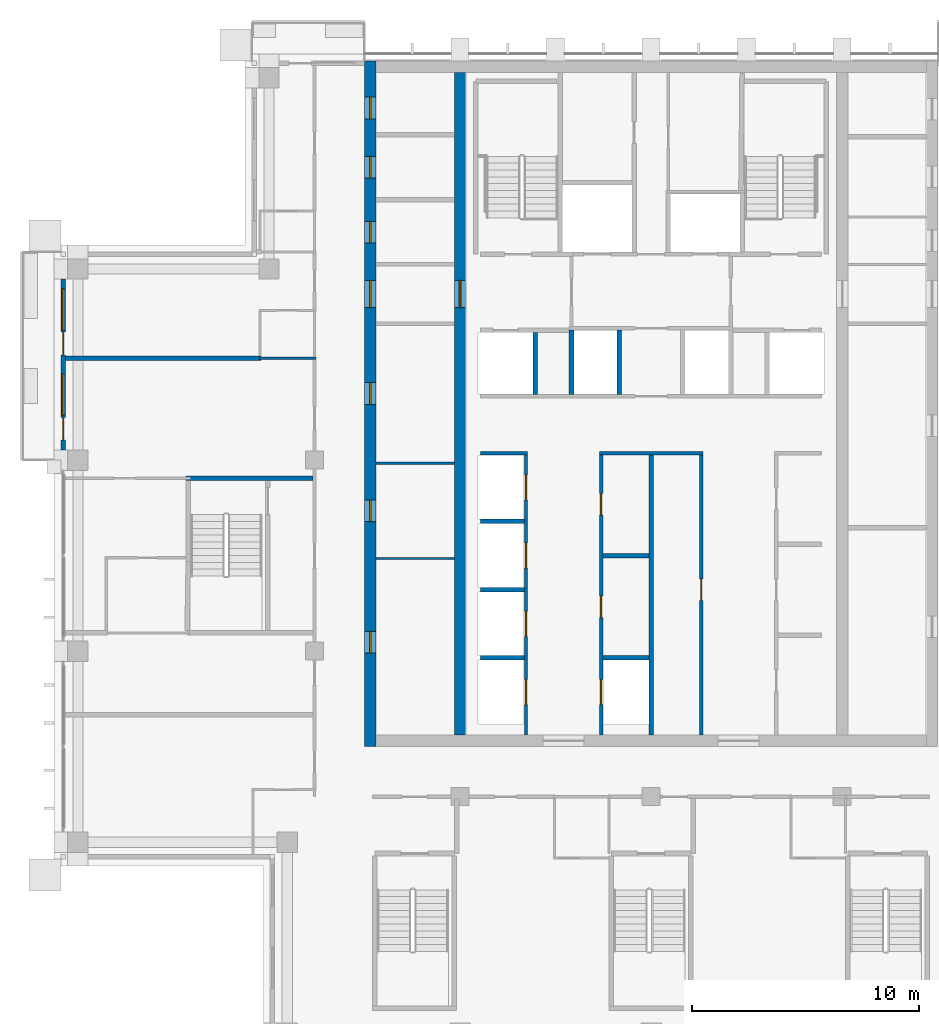
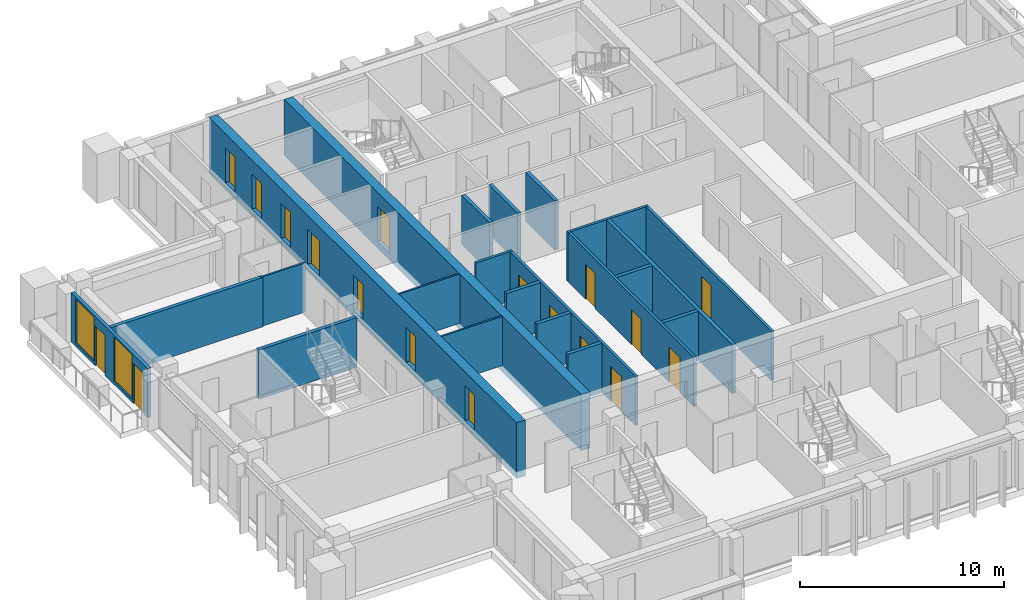
# One storey, part 9 of 18: 22 walls, 18 doors, 2 windows, 20 openings.
"""IFC4 building model written with IfcOpenShell, lengths in metres."""

from ifc_helpers import new_model, si_unit, direction, frame, frame_2d, origin, place, context, subcontext, project, spatial, rectangle, extrude, material, layer, layer_set, type_object, element, fill, save


model = new_model("IFC4")

# Units and contexts
model_context = context("Model", 3, precision=1e-05, world=origin(), true_north=direction((0.0, 1.0)))
body_context = subcontext(model_context, "Body", "Model", "MODEL_VIEW")
ifc_project = project(units=[si_unit("LENGTHUNIT", "METRE"), si_unit("AREAUNIT", "SQUARE_METRE"), si_unit("VOLUMEUNIT", "CUBIC_METRE"), si_unit("PLANEANGLEUNIT", "RADIAN"), si_unit("MASSUNIT", "GRAM", prefix="KILO")], contexts=[model_context])

# Site, building, storey
site_placement = place(None, origin())
site = spatial("IfcSite", under=ifc_project, at=site_placement, CompositionType="ELEMENT")
building_placement = place(site_placement, origin())
building = spatial("IfcBuilding", under=site, at=building_placement, Name="Vermilion Ogive Tower", CompositionType="ELEMENT")
storey_placement = place(building_placement, frame((0.0, 0.0, 261.39990234375)))
storey = spatial("IfcBuildingStorey", under=building, at=storey_placement, Name="L69", CompositionType="ELEMENT", Elevation=261.39990234375)

# Wall, openings, doors
ifc_material_1 = material(Name="Concrete B60", Category="concrete")
ifc_layer_1 = layer(ifc_material_1, 0.5)
ifc_layer_set_1 = layer_set([ifc_layer_1], Name="Core wall 500 B60")
wall_type_1 = type_object("IfcWallType", Name="Core wall 500 B60", PredefinedType="SHEAR", material=ifc_layer_set_1)
wall_1_placement = place(storey_placement, frame((-12.35009765625, -8.39990234375, -0.39990234375), z_axis=(0.0, 0.0, 1.0), x_axis=(0.0, 1.0, 0.0)))
wall_1 = element("IfcWall", 1, at=wall_1_placement, inside=storey, type_object=wall_type_1, Name="L69-CORE-W", PredefinedType="SHEAR", context=body_context, shape_type="SweptSolid", body=[
    extrude(rectangle(XDim=30.14990234375, YDim=0.5, at=frame_2d((15.074951171875, 0.0))), origin(), (0.0, 0.0, 1.0), 3.35009765625),
])
opening_1_placement = place(wall_1_placement, frame((4.112548828125, 0.0, 0.39990234375)))
opening_1 = element("IfcOpeningElement", 2, at=opening_1_placement, cuts=wall_1, Name="Opening DAD127", PredefinedType="OPENING", context=body_context, shape_type="SweptSolid", body=[
    extrude(rectangle(XDim=0.949951171875, YDim=2.10009765625, at=frame_2d((0.47509765625, 1.050048828125))), frame((0.0, 0.260009765625, 0.0), z_axis=(0.0, -1.0, 0.0), x_axis=(1.0, 0.0, 0.0)), (0.0, 0.0, 1.0), 0.52001953125),
])
opening_2_placement = place(wall_1_placement, frame((9.8896484375, 0.0, 0.39990234375)))
opening_2 = element("IfcOpeningElement", 3, at=opening_2_placement, cuts=wall_1, Name="Opening DAD128", PredefinedType="OPENING", context=body_context, shape_type="SweptSolid", body=[
    extrude(rectangle(XDim=0.949951171875, YDim=2.10009765625, at=frame_2d((0.47509765625, 1.050048828125))), frame((0.0, 0.260009765625, 0.0), z_axis=(0.0, -1.0, 0.0), x_axis=(1.0, 0.0, 0.0)), (0.0, 0.0, 1.0), 0.52001953125),
])
opening_3_placement = place(wall_1_placement, frame((15.052001953125, 0.0, 0.39990234375)))
opening_3 = element("IfcOpeningElement", 4, at=opening_3_placement, cuts=wall_1, Name="Opening DAD129", PredefinedType="OPENING", context=body_context, shape_type="SweptSolid", body=[
    extrude(rectangle(XDim=0.949951171875, YDim=2.10009765625, at=frame_2d((0.47509765625, 1.050048828125))), frame((0.0, 0.260009765625, 0.0), z_axis=(0.0, -1.0, 0.0), x_axis=(1.0, 0.0, 0.0)), (0.0, 0.0, 1.0), 0.52001953125),
])
opening_4_placement = place(wall_1_placement, frame((22.1435546875, 0.0, 0.39990234375)))
opening_4 = element("IfcOpeningElement", 5, at=opening_4_placement, cuts=wall_1, Name="Opening DAD130", PredefinedType="OPENING", context=body_context, shape_type="SweptSolid", body=[
    extrude(rectangle(XDim=0.949951171875, YDim=2.10009765625, at=frame_2d((0.47509765625, 1.050048828125))), frame((0.0, 0.260009765625, 0.0), z_axis=(0.0, -1.0, 0.0), x_axis=(1.0, 0.0, 0.0)), (0.0, 0.0, 1.0), 0.52001953125),
])
opening_5_placement = place(wall_1_placement, frame((24.998291015625, 0.0, 0.39990234375)))
opening_5 = element("IfcOpeningElement", 6, at=opening_5_placement, cuts=wall_1, Name="Opening DAD131", PredefinedType="OPENING", context=body_context, shape_type="SweptSolid", body=[
    extrude(rectangle(XDim=0.949951171875, YDim=2.10009765625, at=frame_2d((0.47509765625, 1.050048828125))), frame((0.0, 0.260009765625, 0.0), z_axis=(0.0, -1.0, 0.0), x_axis=(1.0, 0.0, 0.0)), (0.0, 0.0, 1.0), 0.52001953125),
])
opening_6_placement = place(wall_1_placement, frame((27.604736328125, 0.0, 0.39990234375)))
opening_6 = element("IfcOpeningElement", 7, at=opening_6_placement, cuts=wall_1, Name="Opening DAD132", PredefinedType="OPENING", context=body_context, shape_type="SweptSolid", body=[
    extrude(rectangle(XDim=0.949951171875, YDim=2.10009765625, at=frame_2d((0.47509765625, 1.050048828125))), frame((0.0, 0.260009765625, 0.0), z_axis=(0.0, -1.0, 0.0), x_axis=(1.0, 0.0, 0.0)), (0.0, 0.0, 1.0), 0.52001953125),
])
opening_7_placement = place(wall_1_placement, frame((19.300048828125, 0.0, 0.39990234375)))
opening_7 = element("IfcOpeningElement", 8, at=opening_7_placement, cuts=wall_1, Name="Opening DAM029", PredefinedType="OPENING", context=body_context, shape_type="SweptSolid", body=[
    extrude(rectangle(XDim=1.199951171875, YDim=2.10009765625, at=frame_2d((0.60009765625, 1.050048828125))), frame((0.0, 0.260009765625, 0.0), z_axis=(0.0, -1.0, 0.0), x_axis=(1.0, 0.0, 0.0)), (0.0, 0.0, 1.0), 0.52001953125),
])
ifc_material_2 = material(Name="Timber door leaf", Category="wood")
door_type_1 = type_object("IfcDoorType", Name="Link door 1200 x 2100 FD60S", OperationType="SINGLE_SWING_LEFT", PredefinedType="DOOR", material=ifc_material_2)
door_1_placement = place(opening_7_placement, origin())
door_1 = element("IfcDoor", 9, at=door_1_placement, inside=storey, type_object=door_type_1, Name="L69-CKW-XL", OperationType="SINGLE_SWING_LEFT", OverallHeight=2.10009765625, OverallWidth=1.199951171875, PredefinedType="DOOR", context=body_context, shape_type="SweptSolid", body=[
    extrude(rectangle(XDim=1.199951171875, YDim=2.10009765625, at=frame_2d((0.60009765625, 1.050048828125))), frame((0.0, 0.02490234375, 0.0), z_axis=(0.0, -1.0, 0.0), x_axis=(1.0, 0.0, 0.0)), (0.0, 0.0, 1.0), 0.050048828125),
])
fill(opening_7, door_1)
ifc_material_3 = material(Name="Timber door leaf", Category="wood")
door_type_2 = type_object("IfcDoorType", Name="Service door 950 x 2100 FD60", OperationType="SINGLE_SWING_LEFT", PredefinedType="DOOR", material=ifc_material_3)
door_2_placement = place(opening_1_placement, origin())
door_2 = element("IfcDoor", 10, at=door_2_placement, inside=storey, type_object=door_type_2, Name="L69-CKW-XR0", OperationType="SINGLE_SWING_LEFT", OverallHeight=2.10009765625, OverallWidth=0.949951171875, PredefinedType="DOOR", context=body_context, shape_type="SweptSolid", body=[
    extrude(rectangle(XDim=0.949951171875, YDim=2.10009765625, at=frame_2d((0.47509765625, 1.050048828125))), frame((0.0, 0.02490234375, 0.0), z_axis=(0.0, -1.0, 0.0), x_axis=(1.0, 0.0, 0.0)), (0.0, 0.0, 1.0), 0.050048828125),
])
fill(opening_1, door_2)
door_3_placement = place(opening_2_placement, origin())
door_3 = element("IfcDoor", 11, at=door_3_placement, inside=storey, type_object=door_type_2, Name="L69-CKW-XR1", OperationType="SINGLE_SWING_LEFT", OverallHeight=2.10009765625, OverallWidth=0.949951171875, PredefinedType="DOOR", context=body_context, shape_type="SweptSolid", body=[
    extrude(rectangle(XDim=0.949951171875, YDim=2.10009765625, at=frame_2d((0.47509765625, 1.050048828125))), frame((0.0, 0.02490234375, 0.0), z_axis=(0.0, -1.0, 0.0), x_axis=(1.0, 0.0, 0.0)), (0.0, 0.0, 1.0), 0.050048828125),
])
fill(opening_2, door_3)
door_4_placement = place(opening_3_placement, origin())
door_4 = element("IfcDoor", 12, at=door_4_placement, inside=storey, type_object=door_type_2, Name="L69-CKW-XR2", OperationType="SINGLE_SWING_LEFT", OverallHeight=2.10009765625, OverallWidth=0.949951171875, PredefinedType="DOOR", context=body_context, shape_type="SweptSolid", body=[
    extrude(rectangle(XDim=0.949951171875, YDim=2.10009765625, at=frame_2d((0.47509765625, 1.050048828125))), frame((0.0, 0.02490234375, 0.0), z_axis=(0.0, -1.0, 0.0), x_axis=(1.0, 0.0, 0.0)), (0.0, 0.0, 1.0), 0.050048828125),
])
fill(opening_3, door_4)
door_5_placement = place(opening_4_placement, origin())
door_5 = element("IfcDoor", 13, at=door_5_placement, inside=storey, type_object=door_type_2, Name="L69-CKW-XR3", OperationType="SINGLE_SWING_LEFT", OverallHeight=2.10009765625, OverallWidth=0.949951171875, PredefinedType="DOOR", context=body_context, shape_type="SweptSolid", body=[
    extrude(rectangle(XDim=0.949951171875, YDim=2.10009765625, at=frame_2d((0.47509765625, 1.050048828125))), frame((0.0, 0.02490234375, 0.0), z_axis=(0.0, -1.0, 0.0), x_axis=(1.0, 0.0, 0.0)), (0.0, 0.0, 1.0), 0.050048828125),
])
fill(opening_4, door_5)
door_6_placement = place(opening_5_placement, origin())
door_6 = element("IfcDoor", 14, at=door_6_placement, inside=storey, type_object=door_type_2, Name="L69-CKW-XR4", OperationType="SINGLE_SWING_LEFT", OverallHeight=2.10009765625, OverallWidth=0.949951171875, PredefinedType="DOOR", context=body_context, shape_type="SweptSolid", body=[
    extrude(rectangle(XDim=0.949951171875, YDim=2.10009765625, at=frame_2d((0.47509765625, 1.050048828125))), frame((0.0, 0.02490234375, 0.0), z_axis=(0.0, -1.0, 0.0), x_axis=(1.0, 0.0, 0.0)), (0.0, 0.0, 1.0), 0.050048828125),
])
fill(opening_5, door_6)
door_7_placement = place(opening_6_placement, origin())
door_7 = element("IfcDoor", 15, at=door_7_placement, inside=storey, type_object=door_type_2, Name="L69-CKW-XR5", OperationType="SINGLE_SWING_LEFT", OverallHeight=2.10009765625, OverallWidth=0.949951171875, PredefinedType="DOOR", context=body_context, shape_type="SweptSolid", body=[
    extrude(rectangle(XDim=0.949951171875, YDim=2.10009765625, at=frame_2d((0.47509765625, 1.050048828125))), frame((0.0, 0.02490234375, 0.0), z_axis=(0.0, -1.0, 0.0), x_axis=(1.0, 0.0, 0.0)), (0.0, 0.0, 1.0), 0.050048828125),
])
fill(opening_6, door_7)

# Wall, opening, door
wall_2_placement = place(storey_placement, frame((-8.39990234375, -7.89990234375, -0.39990234375), z_axis=(0.0, 0.0, 1.0), x_axis=(0.0, 1.0, 0.0)))
wall_2 = element("IfcWall", 16, at=wall_2_placement, inside=storey, type_object=wall_type_1, Name="L69-CORE-WEB1", PredefinedType="SHEAR", context=body_context, shape_type="SweptSolid", body=[
    extrude(rectangle(XDim=29.14990234375, YDim=0.5, at=frame_2d((14.574951171875, 0.0))), origin(), (0.0, 0.0, 1.0), 3.35009765625),
])
opening_8_placement = place(wall_2_placement, frame((18.800048828125, 0.0, 0.39990234375)))
opening_8 = element("IfcOpeningElement", 17, at=opening_8_placement, cuts=wall_2, Name="Opening DAP024", PredefinedType="OPENING", context=body_context, shape_type="SweptSolid", body=[
    extrude(rectangle(XDim=1.199951171875, YDim=2.10009765625, at=frame_2d((0.60009765625, 1.050048828125))), frame((0.0, 0.260009765625, 0.0), z_axis=(0.0, -1.0, 0.0), x_axis=(1.0, 0.0, 0.0)), (0.0, 0.0, 1.0), 0.52001953125),
])
door_8_placement = place(opening_8_placement, origin())
door_8 = element("IfcDoor", 18, at=door_8_placement, inside=storey, type_object=door_type_1, Name="L69-CKW-XW", OperationType="SINGLE_SWING_LEFT", OverallHeight=2.10009765625, OverallWidth=1.199951171875, PredefinedType="DOOR", context=body_context, shape_type="SweptSolid", body=[
    extrude(rectangle(XDim=1.199951171875, YDim=2.10009765625, at=frame_2d((0.60009765625, 1.050048828125))), frame((0.0, 0.02490234375, 0.0), z_axis=(0.0, -1.0, 0.0), x_axis=(1.0, 0.0, 0.0)), (0.0, 0.0, 1.0), 0.050048828125),
])
fill(opening_8, door_8)

# Walls
ifc_material_4 = material(Name="Gypsum board partition on steel studs", Category="steel")
ifc_layer_2 = layer(ifc_material_4, 0.10009765625)
ifc_layer_set_2 = layer_set([ifc_layer_2], Name="Partition 100 bath")
wall_type_2 = type_object("IfcWallType", Name="Partition 100 bath", PredefinedType="PARTITIONING", material=ifc_layer_set_2)
wall_3_placement = place(storey_placement, frame((-17.25, 8.679931640625, 0.0), z_axis=(0.0, 0.0, 1.0), x_axis=(1.0, 0.0, 0.0)))
element("IfcWall", 19, at=wall_3_placement, inside=storey, type_object=wall_type_2, Name="L69-W-W030", PredefinedType="PARTITIONING", context=body_context, shape_type="SweptSolid", body=[
    extrude(rectangle(XDim=2.52490234375, YDim=0.10009765625, at=frame_2d((1.262451171875, 0.0))), origin(), (0.0, 0.0, 1.0), 2.9501953125),
])
for number, where, z_axis, x_axis, name in (
    (20, (-12.09912109375, -0.125, 0.0), (0.0, 0.0, 1.0), (1.0, 0.0, 0.0), "L69-CKW-W-W001"),
    (21, (-12.09912109375, 4.053955078125, 0.0), (0.0, 0.0, 1.0), (1.0, 0.0, 0.0), "L69-CKW-W-W002"),
):
    element("IfcWall", number, at=place(storey_placement, frame(where, z_axis=z_axis, x_axis=x_axis)), inside=storey, type_object=wall_type_2, Name=name, PredefinedType="PARTITIONING", context=body_context, shape_type="SweptSolid", body=[
        extrude(rectangle(XDim=3.4482421875, YDim=0.10009765625, at=frame_2d((1.72412109375, 0.0))), origin(), (0.0, 0.0, 1.0), 2.9501953125),
    ])
ifc_material_5 = material(Name="Gypsum board partition on steel studs", Category="steel")
ifc_layer_3 = layer(ifc_material_5, 0.14990234375)
ifc_layer_set_3 = layer_set([ifc_layer_3], Name="Partition 150 corridor")
wall_type_3 = type_object("IfcWallType", Name="Partition 150 corridor", PredefinedType="PARTITIONING", material=ifc_layer_set_3)
wall_4_placement = place(storey_placement, frame((-7.5, 4.5, 0.0), z_axis=(0.0, 0.0, 1.0), x_axis=(1.0, 0.0, 0.0)))
element("IfcWall", 22, at=wall_4_placement, inside=storey, type_object=wall_type_3, Name="L69-CK-W-W008", PredefinedType="PARTITIONING", context=body_context, shape_type="SweptSolid", body=[
    extrude(rectangle(XDim=2.074951171875, YDim=0.14990234375, at=frame_2d((1.03759765625, 0.0))), origin(), (0.0, 0.0, 1.0), 2.9501953125),
])
wall_5_placement = place(storey_placement, frame((-2.27490234375, 4.5, 0.0), z_axis=(0.0, 0.0, 1.0), x_axis=(1.0, 0.0, 0.0)))
element("IfcWall", 23, at=wall_5_placement, inside=storey, type_object=wall_type_3, Name="L69-CK-W-W009", PredefinedType="PARTITIONING", context=body_context, shape_type="SweptSolid", body=[
    extrude(rectangle(XDim=4.5498046875, YDim=0.14990234375, at=frame_2d((2.27490234375, 0.0))), origin(), (0.0, 0.0, 1.0), 2.9501953125),
])

# Wall, openings, doors
wall_6_placement = place(storey_placement, frame((-5.5, -7.89892578125, 0.0), z_axis=(0.0, 0.0, 1.0), x_axis=(0.0, 1.0, 0.0)))
wall_6 = element("IfcWall", 24, at=wall_6_placement, inside=storey, type_object=wall_type_3, Name="L69-CK-W-W020", PredefinedType="PARTITIONING", context=body_context, shape_type="SweptSolid", body=[
    extrude(rectangle(XDim=12.323974609375, YDim=0.14990234375, at=frame_2d((6.162109375, 0.0))), origin(), (0.0, 0.0, 1.0), 2.9501953125),
])
opening_9_placement = place(wall_6_placement, frame((1.348876953125, 0.0, 0.0)))
opening_9 = element("IfcOpeningElement", 25, at=opening_9_placement, cuts=wall_6, Name="Opening DAA671", PredefinedType="OPENING", context=body_context, shape_type="SweptSolid", body=[
    extrude(rectangle(XDim=1.10009765625, YDim=2.10009765625, at=frame_2d((0.550048828125, 1.050048828125))), frame((0.0, 0.0849609375, 0.0), z_axis=(0.0, -1.0, 0.0), x_axis=(1.0, 0.0, 0.0)), (0.0, 0.0, 1.0), 0.169921875),
])
opening_10_placement = place(wall_6_placement, frame((4.348876953125, 0.0, 0.0)))
opening_10 = element("IfcOpeningElement", 26, at=opening_10_placement, cuts=wall_6, Name="Opening DAA672", PredefinedType="OPENING", context=body_context, shape_type="SweptSolid", body=[
    extrude(rectangle(XDim=1.10009765625, YDim=2.10009765625, at=frame_2d((0.550048828125, 1.050048828125))), frame((0.0, 0.0849609375, 0.0), z_axis=(0.0, -1.0, 0.0), x_axis=(1.0, 0.0, 0.0)), (0.0, 0.0, 1.0), 0.169921875),
])
opening_11_placement = place(wall_6_placement, frame((7.348876953125, 0.0, 0.0)))
opening_11 = element("IfcOpeningElement", 27, at=opening_11_placement, cuts=wall_6, Name="Opening DAA673", PredefinedType="OPENING", context=body_context, shape_type="SweptSolid", body=[
    extrude(rectangle(XDim=1.10009765625, YDim=2.10009765625, at=frame_2d((0.550048828125, 1.050048828125))), frame((0.0, 0.0849609375, 0.0), z_axis=(0.0, -1.0, 0.0), x_axis=(1.0, 0.0, 0.0)), (0.0, 0.0, 1.0), 0.169921875),
])
opening_12_placement = place(wall_6_placement, frame((10.348876953125, 0.0, 0.0)))
opening_12 = element("IfcOpeningElement", 28, at=opening_12_placement, cuts=wall_6, Name="Opening DAA674", PredefinedType="OPENING", context=body_context, shape_type="SweptSolid", body=[
    extrude(rectangle(XDim=1.10009765625, YDim=2.10009765625, at=frame_2d((0.550048828125, 1.050048828125))), frame((0.0, 0.0849609375, 0.0), z_axis=(0.0, -1.0, 0.0), x_axis=(1.0, 0.0, 0.0)), (0.0, 0.0, 1.0), 0.169921875),
])
ifc_material_6 = material(Name="Stainless steel", Category="steel")
door_type_3 = type_object("IfcDoorType", Name="Lift landing door 1100 x 2100", OperationType="SLIDING_TO_LEFT", PredefinedType="DOOR", material=ifc_material_6)
door_9_placement = place(opening_9_placement, origin())
door_9 = element("IfcDoor", 29, at=door_9_placement, inside=storey, type_object=door_type_3, Name="L69-CK-D-D001", OperationType="SLIDING_TO_LEFT", OverallHeight=2.10009765625, OverallWidth=1.10009765625, PredefinedType="DOOR", context=body_context, shape_type="SweptSolid", body=[
    extrude(rectangle(XDim=1.10009765625, YDim=2.10009765625, at=frame_2d((0.550048828125, 1.050048828125))), frame((0.0, 0.02490234375, 0.0), z_axis=(0.0, -1.0, 0.0), x_axis=(1.0, 0.0, 0.0)), (0.0, 0.0, 1.0), 0.050048828125),
])
fill(opening_9, door_9)
door_10_placement = place(opening_10_placement, origin())
door_10 = element("IfcDoor", 30, at=door_10_placement, inside=storey, type_object=door_type_3, Name="L69-CK-D-D002", OperationType="SLIDING_TO_LEFT", OverallHeight=2.10009765625, OverallWidth=1.10009765625, PredefinedType="DOOR", context=body_context, shape_type="SweptSolid", body=[
    extrude(rectangle(XDim=1.10009765625, YDim=2.10009765625, at=frame_2d((0.550048828125, 1.050048828125))), frame((0.0, 0.02490234375, 0.0), z_axis=(0.0, -1.0, 0.0), x_axis=(1.0, 0.0, 0.0)), (0.0, 0.0, 1.0), 0.050048828125),
])
fill(opening_10, door_10)
door_11_placement = place(opening_11_placement, origin())
door_11 = element("IfcDoor", 31, at=door_11_placement, inside=storey, type_object=door_type_3, Name="L69-CK-D-D003", OperationType="SLIDING_TO_LEFT", OverallHeight=2.10009765625, OverallWidth=1.10009765625, PredefinedType="DOOR", context=body_context, shape_type="SweptSolid", body=[
    extrude(rectangle(XDim=1.10009765625, YDim=2.10009765625, at=frame_2d((0.550048828125, 1.050048828125))), frame((0.0, 0.02490234375, 0.0), z_axis=(0.0, -1.0, 0.0), x_axis=(1.0, 0.0, 0.0)), (0.0, 0.0, 1.0), 0.050048828125),
])
fill(opening_11, door_11)
door_12_placement = place(opening_12_placement, origin())
door_12 = element("IfcDoor", 32, at=door_12_placement, inside=storey, type_object=door_type_3, Name="L69-CK-D-D004", OperationType="SLIDING_TO_LEFT", OverallHeight=2.10009765625, OverallWidth=1.10009765625, PredefinedType="DOOR", context=body_context, shape_type="SweptSolid", body=[
    extrude(rectangle(XDim=1.10009765625, YDim=2.10009765625, at=frame_2d((0.550048828125, 1.050048828125))), frame((0.0, 0.02490234375, 0.0), z_axis=(0.0, -1.0, 0.0), x_axis=(1.0, 0.0, 0.0)), (0.0, 0.0, 1.0), 0.050048828125),
])
fill(opening_12, door_12)

wall_7_placement = place(storey_placement, frame((-2.199951171875, -7.89892578125, 0.0), z_axis=(0.0, 0.0, 1.0), x_axis=(0.0, 1.0, 0.0)))
wall_7 = element("IfcWall", 33, at=wall_7_placement, inside=storey, type_object=wall_type_3, Name="L69-CK-W-W025", PredefinedType="PARTITIONING", context=body_context, shape_type="SweptSolid", body=[
    extrude(rectangle(XDim=12.323974609375, YDim=0.14990234375, at=frame_2d((6.162109375, 0.0))), origin(), (0.0, 0.0, 1.0), 2.9501953125),
])
opening_13_placement = place(wall_7_placement, frame((1.348876953125, 0.0, 0.0)))
opening_13 = element("IfcOpeningElement", 34, at=opening_13_placement, cuts=wall_7, Name="Opening DAA675", PredefinedType="OPENING", context=body_context, shape_type="SweptSolid", body=[
    extrude(rectangle(XDim=1.10009765625, YDim=2.10009765625, at=frame_2d((0.550048828125, 1.050048828125))), frame((0.0, 0.0849609375, 0.0), z_axis=(0.0, -1.0, 0.0), x_axis=(1.0, 0.0, 0.0)), (0.0, 0.0, 1.0), 0.169921875),
])
opening_14_placement = place(wall_7_placement, frame((5.173828125, 0.0, 0.0)))
opening_14 = element("IfcOpeningElement", 35, at=opening_14_placement, cuts=wall_7, Name="Opening DAA661", PredefinedType="OPENING", context=body_context, shape_type="SweptSolid", body=[
    extrude(rectangle(XDim=0.949951171875, YDim=2.10009765625, at=frame_2d((0.47509765625, 1.050048828125))), frame((0.0, 0.0849609375, 0.0), z_axis=(0.0, -1.0, 0.0), x_axis=(1.0, 0.0, 0.0)), (0.0, 0.0, 1.0), 0.169921875),
])
opening_15_placement = place(wall_7_placement, frame((9.673828125, 0.0, 0.0)))
opening_15 = element("IfcOpeningElement", 36, at=opening_15_placement, cuts=wall_7, Name="Opening DAA662", PredefinedType="OPENING", context=body_context, shape_type="SweptSolid", body=[
    extrude(rectangle(XDim=0.949951171875, YDim=2.10009765625, at=frame_2d((0.47509765625, 1.050048828125))), frame((0.0, 0.0849609375, 0.0), z_axis=(0.0, -1.0, 0.0), x_axis=(1.0, 0.0, 0.0)), (0.0, 0.0, 1.0), 0.169921875),
])
door_13_placement = place(opening_13_placement, origin())
door_13 = element("IfcDoor", 37, at=door_13_placement, inside=storey, type_object=door_type_3, Name="L69-CK-D-D005", OperationType="SLIDING_TO_LEFT", OverallHeight=2.10009765625, OverallWidth=1.10009765625, PredefinedType="DOOR", context=body_context, shape_type="SweptSolid", body=[
    extrude(rectangle(XDim=1.10009765625, YDim=2.10009765625, at=frame_2d((0.550048828125, 1.050048828125))), frame((0.0, 0.02490234375, 0.0), z_axis=(0.0, -1.0, 0.0), x_axis=(1.0, 0.0, 0.0)), (0.0, 0.0, 1.0), 0.050048828125),
])
fill(opening_13, door_13)
door_14_placement = place(opening_14_placement, origin())
door_14 = element("IfcDoor", 38, at=door_14_placement, inside=storey, type_object=door_type_2, Name="L69-CK-D-D006", OperationType="SINGLE_SWING_LEFT", OverallHeight=2.10009765625, OverallWidth=0.949951171875, PredefinedType="DOOR", context=body_context, shape_type="SweptSolid", body=[
    extrude(rectangle(XDim=0.949951171875, YDim=2.10009765625, at=frame_2d((0.47509765625, 1.050048828125))), frame((0.0, 0.02490234375, 0.0), z_axis=(0.0, -1.0, 0.0), x_axis=(1.0, 0.0, 0.0)), (0.0, 0.0, 1.0), 0.050048828125),
])
fill(opening_14, door_14)
door_15_placement = place(opening_15_placement, origin())
door_15 = element("IfcDoor", 39, at=door_15_placement, inside=storey, type_object=door_type_2, Name="L69-CK-D-D007", OperationType="SINGLE_SWING_RIGHT", OverallHeight=2.10009765625, OverallWidth=0.949951171875, PredefinedType="DOOR", context=body_context, shape_type="SweptSolid", body=[
    extrude(rectangle(XDim=0.949951171875, YDim=2.10009765625, at=frame_2d((0.47509765625, 1.050048828125))), frame((0.0, 0.02490234375, 0.0), z_axis=(0.0, -1.0, 0.0), x_axis=(1.0, 0.0, 0.0)), (0.0, 0.0, 1.0), 0.050048828125),
])
fill(opening_15, door_15)

# Wall, opening, door
wall_8_placement = place(storey_placement, frame((2.199951171875, -7.89892578125, 0.0), z_axis=(0.0, 0.0, 1.0), x_axis=(0.0, 1.0, 0.0)))
wall_8 = element("IfcWall", 40, at=wall_8_placement, inside=storey, type_object=wall_type_3, Name="L69-CK-W-W032", PredefinedType="PARTITIONING", context=body_context, shape_type="SweptSolid", body=[
    extrude(rectangle(XDim=12.323974609375, YDim=0.14990234375, at=frame_2d((6.162109375, 0.0))), origin(), (0.0, 0.0, 1.0), 2.9501953125),
])
opening_16_placement = place(wall_8_placement, frame((5.923828125, 0.0, 0.0)))
opening_16 = element("IfcOpeningElement", 41, at=opening_16_placement, cuts=wall_8, Name="Opening DAA663", PredefinedType="OPENING", context=body_context, shape_type="SweptSolid", body=[
    extrude(rectangle(XDim=0.949951171875, YDim=2.10009765625, at=frame_2d((0.47509765625, 1.050048828125))), frame((0.0, 0.0849609375, 0.0), z_axis=(0.0, -1.0, 0.0), x_axis=(1.0, 0.0, 0.0)), (0.0, 0.0, 1.0), 0.169921875),
])
door_16_placement = place(opening_16_placement, origin())
door_16 = element("IfcDoor", 42, at=door_16_placement, inside=storey, type_object=door_type_2, Name="L69-CK-D-D008", OperationType="SINGLE_SWING_RIGHT", OverallHeight=2.10009765625, OverallWidth=0.949951171875, PredefinedType="DOOR", context=body_context, shape_type="SweptSolid", body=[
    extrude(rectangle(XDim=0.949951171875, YDim=2.10009765625, at=frame_2d((0.47509765625, 1.050048828125))), frame((0.0, 0.02490234375, 0.0), z_axis=(0.0, -1.0, 0.0), x_axis=(1.0, 0.0, 0.0)), (0.0, 0.0, 1.0), 0.050048828125),
])
fill(opening_16, door_16)

# Walls
ifc_material_7 = material(Name="Gypsum board partition on steel studs", Category="steel")
ifc_layer_4 = layer(ifc_material_7, 0.199951171875)
ifc_layer_set_4 = layer_set([ifc_layer_4], Name="Partition 200 party")
wall_type_4 = type_object("IfcWallType", Name="Partition 200 party", PredefinedType="PARTITIONING", material=ifc_layer_set_4)
wall_9_placement = place(storey_placement, frame((-25.75, 8.679931640625, 0.0), z_axis=(0.0, 0.0, 1.0), x_axis=(1.0, 0.0, 0.0)))
element("IfcWall", 43, at=wall_9_placement, inside=storey, type_object=wall_type_4, Name="L69-W-W029", PredefinedType="PARTITIONING", context=body_context, shape_type="SweptSolid", body=[
    extrude(rectangle(XDim=8.60009765625, YDim=0.199951171875, at=frame_2d((4.300048828125, 0.0))), origin(), (0.0, 0.0, 1.0), 2.9501953125),
])
wall_10_placement = place(storey_placement, frame((-7.5, -4.5, 0.0), z_axis=(0.0, 0.0, 1.0), x_axis=(1.0, 0.0, 0.0)))
element("IfcWall", 44, at=wall_10_placement, inside=storey, type_object=wall_type_4, Name="L69-CK-W-W001", PredefinedType="PARTITIONING", context=body_context, shape_type="SweptSolid", body=[
    extrude(rectangle(XDim=1.925048828125, YDim=0.199951171875, at=frame_2d((0.96240234375, 0.0))), origin(), (0.0, 0.0, 1.0), 2.9501953125),
])
wall_11_placement = place(storey_placement, frame((-2.125, -4.5, 0.0), z_axis=(0.0, 0.0, 1.0), x_axis=(1.0, 0.0, 0.0)))
element("IfcWall", 45, at=wall_11_placement, inside=storey, type_object=wall_type_4, Name="L69-CK-W-W002", PredefinedType="PARTITIONING", context=body_context, shape_type="SweptSolid", body=[
    extrude(rectangle(XDim=2.02490234375, YDim=0.199951171875, at=frame_2d((1.012451171875, 0.0))), origin(), (0.0, 0.0, 1.0), 2.9501953125),
])
wall_12_placement = place(storey_placement, frame((-7.5, -1.5, 0.0), z_axis=(0.0, 0.0, 1.0), x_axis=(1.0, 0.0, 0.0)))
element("IfcWall", 46, at=wall_12_placement, inside=storey, type_object=wall_type_4, Name="L69-CK-W-W004", PredefinedType="PARTITIONING", context=body_context, shape_type="SweptSolid", body=[
    extrude(rectangle(XDim=1.925048828125, YDim=0.199951171875, at=frame_2d((0.96240234375, 0.0))), origin(), (0.0, 0.0, 1.0), 2.9501953125),
])
wall_13_placement = place(storey_placement, frame((-2.125, 0.0, 0.0), z_axis=(0.0, 0.0, 1.0), x_axis=(1.0, 0.0, 0.0)))
element("IfcWall", 47, at=wall_13_placement, inside=storey, type_object=wall_type_4, Name="L69-CK-W-W005", PredefinedType="PARTITIONING", context=body_context, shape_type="SweptSolid", body=[
    extrude(rectangle(XDim=2.02490234375, YDim=0.199951171875, at=frame_2d((1.012451171875, 0.0))), origin(), (0.0, 0.0, 1.0), 2.9501953125),
])
wall_14_placement = place(storey_placement, frame((-7.5, 1.5, 0.0), z_axis=(0.0, 0.0, 1.0), x_axis=(1.0, 0.0, 0.0)))
element("IfcWall", 48, at=wall_14_placement, inside=storey, type_object=wall_type_4, Name="L69-CK-W-W007", PredefinedType="PARTITIONING", context=body_context, shape_type="SweptSolid", body=[
    extrude(rectangle(XDim=1.925048828125, YDim=0.199951171875, at=frame_2d((0.96240234375, 0.0))), origin(), (0.0, 0.0, 1.0), 2.9501953125),
])
wall_15_placement = place(storey_placement, frame((-5.10009765625, 7.074951171875, 0.0), z_axis=(0.0, 0.0, 1.0), x_axis=(0.0, 1.0, 0.0)))
element("IfcWall", 49, at=wall_15_placement, inside=storey, type_object=wall_type_4, Name="L69-CK-W-W021", PredefinedType="PARTITIONING", context=body_context, shape_type="SweptSolid", body=[
    extrude(rectangle(XDim=2.72509765625, YDim=0.199951171875, at=frame_2d((1.362548828125, 0.0))), origin(), (0.0, 0.0, 1.0), 2.9501953125),
])
for number, where, z_axis, x_axis, name in (
    (50, (-3.5, 7.074951171875, 0.0), (0.0, 0.0, 1.0), (0.0, 1.0, 0.0), "L69-CK-W-W023"),
    (51, (-1.39990234375, 7.074951171875, 0.0), (0.0, 0.0, 1.0), (0.0, 1.0, 0.0), "L69-CK-W-W026"),
):
    element("IfcWall", number, at=place(storey_placement, frame(where, z_axis=z_axis, x_axis=x_axis)), inside=storey, type_object=wall_type_4, Name=name, PredefinedType="PARTITIONING", context=body_context, shape_type="SweptSolid", body=[
        extrude(rectangle(XDim=2.85009765625, YDim=0.199951171875, at=frame_2d((1.425048828125, 0.0))), origin(), (0.0, 0.0, 1.0), 2.9501953125),
    ])
wall_16_placement = place(storey_placement, frame((0.0, -7.89892578125, 0.0), z_axis=(0.0, 0.0, 1.0), x_axis=(0.0, 1.0, 0.0)))
element("IfcWall", 52, at=wall_16_placement, inside=storey, type_object=wall_type_4, Name="L69-CK-W-W028", PredefinedType="PARTITIONING", context=body_context, shape_type="SweptSolid", body=[
    extrude(rectangle(XDim=12.323974609375, YDim=0.199951171875, at=frame_2d((6.162109375, 0.0))), origin(), (0.0, 0.0, 1.0), 2.9501953125),
])
ifc_material_8 = material(Name="Concrete B60", Category="concrete")
ifc_layer_5 = layer(ifc_material_8, 0.199951171875)
ifc_layer_set_5 = layer_set([ifc_layer_5], Name="Stair shaft wall 200 Concrete B60")
wall_type_5 = type_object("IfcWallType", Name="Stair shaft wall 200 Concrete B60", PredefinedType="SOLIDWALL", material=ifc_layer_set_5)
wall_17_placement = place(storey_placement, frame((-20.449951171875, 3.39990234375, 0.0), z_axis=(0.0, 0.0, 1.0), x_axis=(1.0, 0.0, 0.0)))
element("IfcWall", 53, at=wall_17_placement, inside=storey, type_object=wall_type_5, Name="L69-W-W024", PredefinedType="SOLIDWALL", context=body_context, shape_type="SweptSolid", body=[
    extrude(rectangle(XDim=5.574951171875, YDim=0.199951171875, at=frame_2d((2.78759765625, 0.0))), origin(), (0.0, 0.0, 1.0), 2.9501953125),
])

# Wall, openings, doors, windows
ifc_material_9 = material(Name="Aluminium window wall framing", Category="aluminium")
ifc_layer_6 = layer(ifc_material_9, 0.199951171875)
ifc_layer_set_6 = layer_set([ifc_layer_6], Name="Window wall")
wall_type_6 = type_object("IfcWallType", Name="Window wall", PredefinedType="STANDARD", material=ifc_layer_set_6)
wall_18_placement = place(storey_placement, frame((-25.85009765625, 12.14990234375, 0.0), z_axis=(0.0, 0.0, 1.0), x_axis=(0.0, -1.0, 0.0)))
wall_18 = element("IfcWall", 54, at=wall_18_placement, inside=storey, type_object=wall_type_6, Name="Window wall W1", PredefinedType="STANDARD", context=body_context, shape_type="SweptSolid", body=[
    extrude(rectangle(XDim=7.5, YDim=0.199951171875, at=frame_2d((3.75, 0.0))), origin(), (0.0, 0.0, 1.0), 2.9501953125),
])
opening_17_placement = place(wall_18_placement, frame((4.175048828125, 0.0, 0.199951171875)))
opening_17 = element("IfcOpeningElement", 55, at=opening_17_placement, cuts=wall_18, Name="Opening W1-W01", PredefinedType="OPENING", context=body_context, shape_type="SweptSolid", body=[
    extrude(rectangle(XDim=1.800048828125, YDim=2.64990234375, at=frame_2d((0.89990234375, 1.324951171875))), frame((0.0, 0.10986328125, 0.0), z_axis=(0.0, -1.0, 0.0), x_axis=(1.0, 0.0, 0.0)), (0.0, 0.0, 1.0), 0.219970703125),
])
opening_18_placement = place(wall_18_placement, frame((6.074951171875, 0.0, 0.0)))
opening_18 = element("IfcOpeningElement", 56, at=opening_18_placement, cuts=wall_18, Name="Opening D1-W01", PredefinedType="OPENING", context=body_context, shape_type="SweptSolid", body=[
    extrude(rectangle(XDim=1.0, YDim=2.39990234375, at=frame_2d((0.5, 1.199951171875))), frame((0.0, 0.10986328125, 0.0), z_axis=(0.0, -1.0, 0.0), x_axis=(1.0, 0.0, 0.0)), (0.0, 0.0, 1.0), 0.219970703125),
])
opening_19_placement = place(wall_18_placement, frame((0.425048828125, 0.0, 0.199951171875)))
opening_19 = element("IfcOpeningElement", 57, at=opening_19_placement, cuts=wall_18, Name="Opening W1-W02", PredefinedType="OPENING", context=body_context, shape_type="SweptSolid", body=[
    extrude(rectangle(XDim=1.800048828125, YDim=2.64990234375, at=frame_2d((0.89990234375, 1.324951171875))), frame((0.0, 0.10986328125, 0.0), z_axis=(0.0, -1.0, 0.0), x_axis=(1.0, 0.0, 0.0)), (0.0, 0.0, 1.0), 0.219970703125),
])
opening_20_placement = place(wall_18_placement, frame((2.324951171875, 0.0, 0.0)))
opening_20 = element("IfcOpeningElement", 58, at=opening_20_placement, cuts=wall_18, Name="Opening D1-W02", PredefinedType="OPENING", context=body_context, shape_type="SweptSolid", body=[
    extrude(rectangle(XDim=1.0, YDim=2.39990234375, at=frame_2d((0.5, 1.199951171875))), frame((0.0, 0.10986328125, 0.0), z_axis=(0.0, -1.0, 0.0), x_axis=(1.0, 0.0, 0.0)), (0.0, 0.0, 1.0), 0.219970703125),
])
ifc_material_10 = material(Name="Aluminium framed glazed door", Category="aluminium")
door_type_4 = type_object("IfcDoorType", Name="Balcony door D1", OperationType="SINGLE_SWING_LEFT", PredefinedType="DOOR", material=ifc_material_10)
door_17_placement = place(opening_18_placement, origin())
door_17 = element("IfcDoor", 59, at=door_17_placement, inside=storey, type_object=door_type_4, Name="Balcony door W01", OperationType="SINGLE_SWING_LEFT", OverallHeight=2.39990234375, OverallWidth=1.0, PredefinedType="DOOR", context=body_context, shape_type="SweptSolid", body=[
    extrude(rectangle(XDim=1.0, YDim=2.39990234375, at=frame_2d((0.5, 1.199951171875))), frame((0.0, 0.02490234375, 0.0), z_axis=(0.0, -1.0, 0.0), x_axis=(1.0, 0.0, 0.0)), (0.0, 0.0, 1.0), 0.050048828125),
])
fill(opening_18, door_17)
door_18_placement = place(opening_20_placement, origin())
door_18 = element("IfcDoor", 60, at=door_18_placement, inside=storey, type_object=door_type_4, Name="Balcony door W02", OperationType="SINGLE_SWING_LEFT", OverallHeight=2.39990234375, OverallWidth=1.0, PredefinedType="DOOR", context=body_context, shape_type="SweptSolid", body=[
    extrude(rectangle(XDim=1.0, YDim=2.39990234375, at=frame_2d((0.5, 1.199951171875))), frame((0.0, 0.02490234375, 0.0), z_axis=(0.0, -1.0, 0.0), x_axis=(1.0, 0.0, 0.0)), (0.0, 0.0, 1.0), 0.050048828125),
])
fill(opening_20, door_18)
ifc_material_11 = material(Name="Aluminium framed double glazing", Category="aluminium")
window_type = type_object("IfcWindowType", Name="Guest window W1", PartitioningType="SINGLE_PANEL", PredefinedType="WINDOW", material=ifc_material_11)
window_1_placement = place(opening_17_placement, origin())
window_1 = element("IfcWindow", 61, at=window_1_placement, inside=storey, type_object=window_type, Name="Window W01", OverallHeight=2.64990234375, OverallWidth=1.800048828125, PartitioningType="SINGLE_PANEL", PredefinedType="WINDOW", context=body_context, shape_type="SweptSolid", body=[
    extrude(rectangle(XDim=1.800048828125, YDim=2.64990234375, at=frame_2d((0.89990234375, 1.324951171875))), frame((0.0, 0.030029296875, 0.0), z_axis=(0.0, -1.0, 0.0), x_axis=(1.0, 0.0, 0.0)), (0.0, 0.0, 1.0), 0.06005859375),
])
fill(opening_17, window_1)
window_2_placement = place(opening_19_placement, origin())
window_2 = element("IfcWindow", 62, at=window_2_placement, inside=storey, type_object=window_type, Name="Window W02", OverallHeight=2.64990234375, OverallWidth=1.800048828125, PartitioningType="SINGLE_PANEL", PredefinedType="WINDOW", context=body_context, shape_type="SweptSolid", body=[
    extrude(rectangle(XDim=1.800048828125, YDim=2.64990234375, at=frame_2d((0.89990234375, 1.324951171875))), frame((0.0, 0.030029296875, 0.0), z_axis=(0.0, -1.0, 0.0), x_axis=(1.0, 0.0, 0.0)), (0.0, 0.0, 1.0), 0.06005859375),
])
fill(opening_19, window_2)

save(model, "model.ifc")
